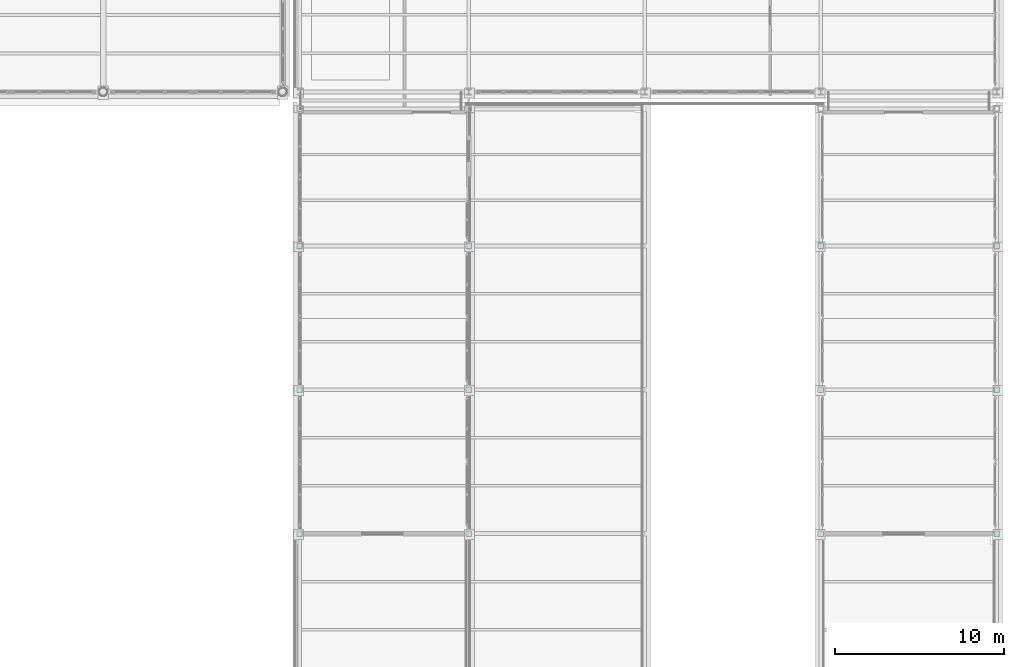
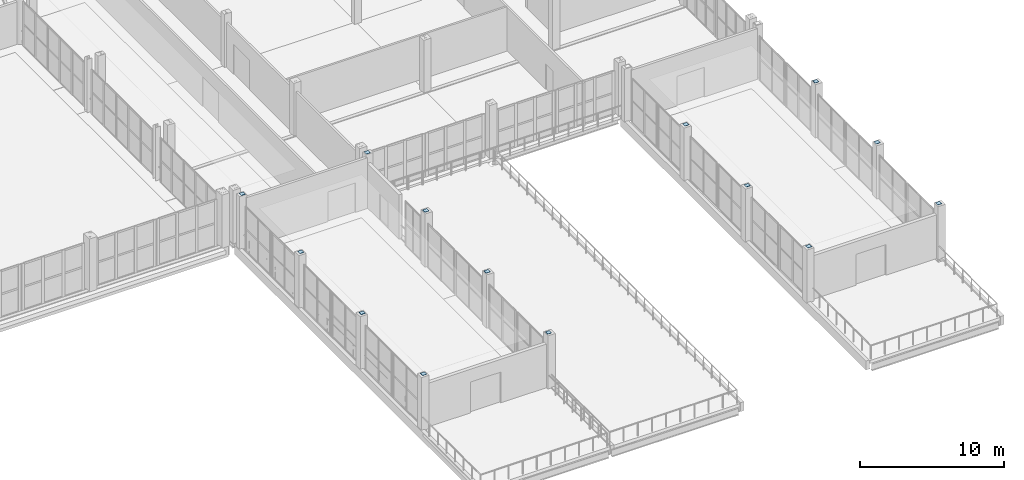
# One storey, part 116 of 156: 14 plates.
"""IFC4 building model written with IfcOpenShell, lengths in metres."""

from ifc_helpers import new_model, si_unit, direction, frame, origin, origin_2d, place, context, subcontext, project, spatial, rectangle, extrude, material, layer, layer_set, type_object, element, save


model = new_model("IFC4")

# Units and contexts
model_context = context("Model", 3, precision=1e-05, world=origin(), true_north=direction((0.0, 1.0)))
body_context = subcontext(model_context, "Body", "Model", "MODEL_VIEW")
ifc_project = project(units=[si_unit("LENGTHUNIT", "METRE"), si_unit("AREAUNIT", "SQUARE_METRE"), si_unit("VOLUMEUNIT", "CUBIC_METRE"), si_unit("PLANEANGLEUNIT", "RADIAN"), si_unit("MASSUNIT", "GRAM", prefix="KILO")], contexts=[model_context])

# Site, building, storey
site_placement = place(None, origin())
site = spatial("IfcSite", under=ifc_project, at=site_placement, CompositionType="ELEMENT")
building_placement = place(site_placement, origin())
building = spatial("IfcBuilding", under=site, at=building_placement, Name="Caurita Quay Ferry Terminal", CompositionType="ELEMENT")
storey_placement = place(building_placement, frame((0.0, 0.0, 5.39990234375)))
storey = spatial("IfcBuildingStorey", under=building, at=storey_placement, Name="L01", CompositionType="ELEMENT", Elevation=5.39990234375)

# Plates
ifc_material = material(Name="Structural plate steel ASTM A572 Gr. 50", Category="steel")
ifc_layer = layer(ifc_material, 0.01806640625, Name="Structural steel connection plate 18 mm")
ifc_layer_set = layer_set([ifc_layer], Name="Structural plate steel ASTM A572 Gr. 50")
plate_type = type_object("IfcPlateType", Name="PLT-STL-18", PredefinedType="USERDEFINED", material=ifc_layer_set)
for number, where, z_axis, x_axis, name in (
    (1, (132.800048828125, 8.5, 4.4990234375), (0.0, 0.0, 1.0), (1.0, 0.0, 0.0), "L01 Hollow Column End-Cap Plate V3-BP-15-B"),
    (2, (132.800048828125, 17.0, 4.4990234375), (0.0, 0.0, 1.0), (1.0, 0.0, 0.0), "L01 Hollow Column End-Cap Plate V3-BP-15-C"),
    (3, (132.800048828125, 25.5, 4.4990234375), (0.0, 0.0, 1.0), (1.0, 0.0, 0.0), "L01 Hollow Column End-Cap Plate V3-BP-15-D"),
    (4, (132.800048828125, 33.60009765625, 4.4990234375), (0.0, 0.0, 1.0), (1.0, 0.0, 0.0), "L01 Hollow Column End-Cap Plate V3-BP-15-E"),
    (5, (142.800048828125, 8.5, 4.4990234375), (0.0, 0.0, 1.0), (1.0, 0.0, 0.0), "L01 Hollow Column End-Cap Plate V3-BP-16-B"),
    (6, (142.800048828125, 17.0, 4.4990234375), (0.0, 0.0, 1.0), (1.0, 0.0, 0.0), "L01 Hollow Column End-Cap Plate V3-BP-16-C"),
    (7, (142.800048828125, 25.5, 4.4990234375), (0.0, 0.0, 1.0), (1.0, 0.0, 0.0), "L01 Hollow Column End-Cap Plate V3-BP-16-D"),
    (8, (142.800048828125, 33.60009765625, 4.4990234375), (0.0, 0.0, 1.0), (1.0, 0.0, 0.0), "L01 Hollow Column End-Cap Plate V3-BP-16-E"),
    (9, (163.60009765625, 8.5, 4.4990234375), (0.0, 0.0, 1.0), (1.0, 0.0, 0.0), "L01 Hollow Column End-Cap Plate V3-BP-18-B"),
    (10, (163.60009765625, 17.0, 4.4990234375), (0.0, 0.0, 1.0), (1.0, 0.0, 0.0), "L01 Hollow Column End-Cap Plate V3-BP-18-C"),
    (11, (163.60009765625, 25.5, 4.4990234375), (0.0, 0.0, 1.0), (1.0, 0.0, 0.0), "L01 Hollow Column End-Cap Plate V3-BP-18-D"),
    (12, (174.0, 8.5, 4.4990234375), (0.0, 0.0, 1.0), (1.0, 0.0, 0.0), "L01 Hollow Column End-Cap Plate V3-BP-19-B"),
    (13, (174.0, 17.0, 4.4990234375), (0.0, 0.0, 1.0), (1.0, 0.0, 0.0), "L01 Hollow Column End-Cap Plate V3-BP-19-C"),
    (14, (174.0, 25.5, 4.4990234375), (0.0, 0.0, 1.0), (1.0, 0.0, 0.0), "L01 Hollow Column End-Cap Plate V3-BP-19-D"),
):
    element("IfcPlate", number, at=place(storey_placement, frame(where, z_axis=z_axis, x_axis=x_axis)), inside=storey, type_object=plate_type, Name=name, ObjectType="GUSSET PLATE", PredefinedType="USERDEFINED", context=body_context, shape_type="SweptSolid", body=[
        extrude(rectangle(XDim=0.328857421875, YDim=0.328857421875, at=origin_2d()), origin(), (0.0, 0.0, 1.0), 0.01806640625),
    ])

save(model, "model.ifc")
